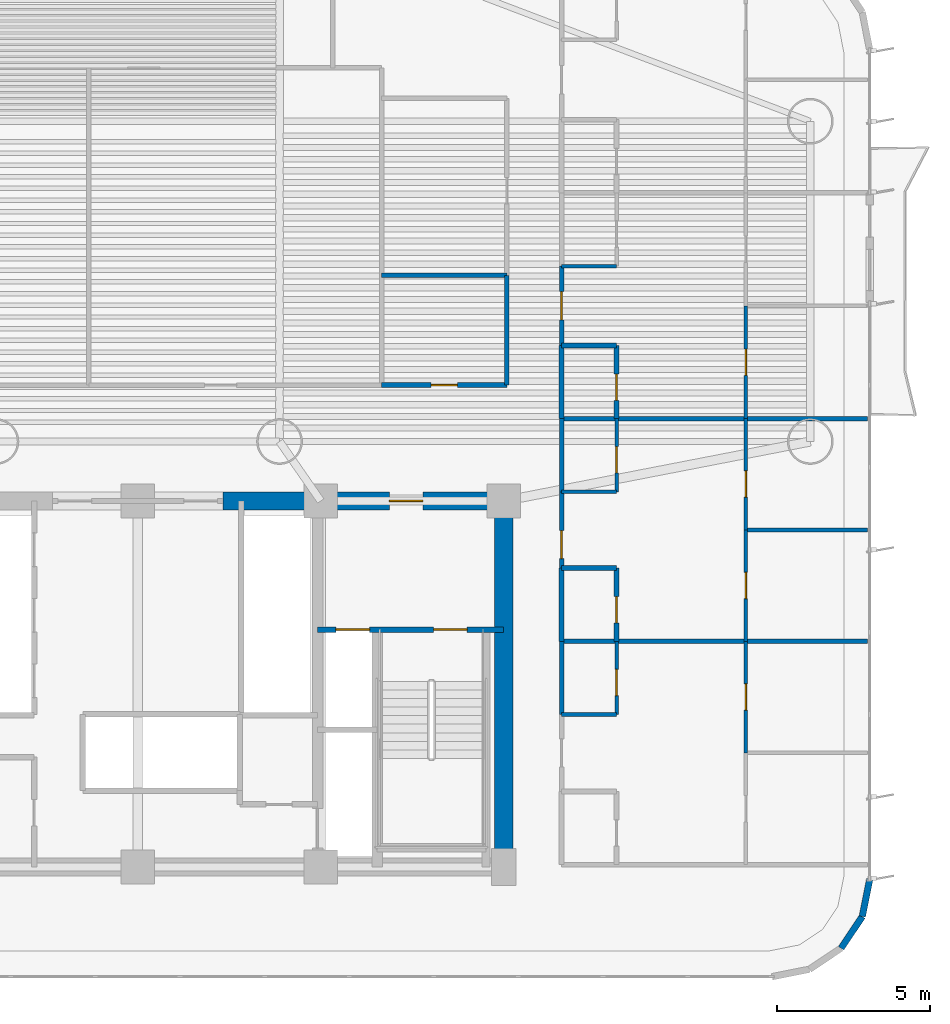
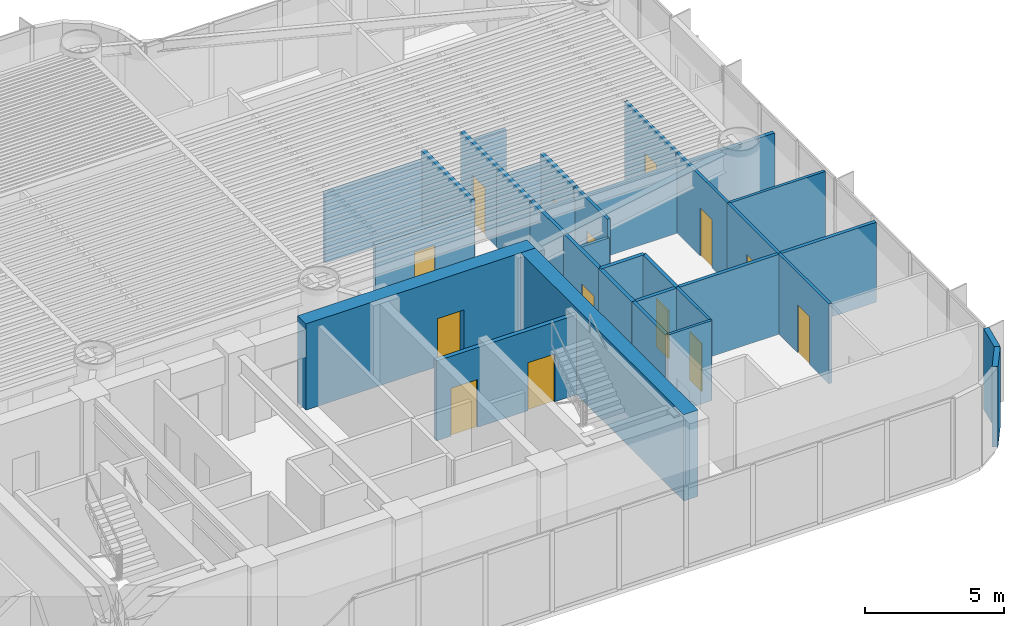
# One storey, part 13 of 19: 30 walls, 14 doors, 14 openings.
"""IFC4 building model written with IfcOpenShell, lengths in metres."""

from ifc_helpers import new_model, si_unit, direction, frame, frame_2d, origin, origin_2d, place, context, subcontext, project, spatial, rectangle, extrude, source, transform, mapped, material, layer, layer_set, type_object, element, fill, save


model = new_model("IFC4")

# Units and contexts
model_context = context("Model", 3, precision=1e-05, world=origin(), true_north=direction((0.0, 1.0)))
body_context = subcontext(model_context, "Body", "Model", "MODEL_VIEW")
ifc_project = project(units=[si_unit("LENGTHUNIT", "METRE"), si_unit("AREAUNIT", "SQUARE_METRE"), si_unit("VOLUMEUNIT", "CUBIC_METRE"), si_unit("PLANEANGLEUNIT", "RADIAN"), si_unit("MASSUNIT", "GRAM", prefix="KILO")], contexts=[model_context])

# Site, building, storey
site_placement = place(None, origin())
site = spatial("IfcSite", under=ifc_project, at=site_placement, CompositionType="ELEMENT")
building_placement = place(site_placement, origin())
building = spatial("IfcBuilding", under=site, at=building_placement, Name="Brelvock Crest Care Tower", CompositionType="ELEMENT")
storey_placement = place(building_placement, frame((0.0, 0.0, 34.56005859375)))
storey = spatial("IfcBuildingStorey", under=building, at=storey_placement, Name="L08", CompositionType="ELEMENT", Elevation=34.56005859375)

# Wall
ifc_material_1 = material(Name="Concrete S80 (80 MPa)", Category="concrete")
ifc_layer_1 = layer(ifc_material_1, 0.60009765625, Name="WL-CS1")
ifc_layer_set_1 = layer_set([ifc_layer_1], Name="Concrete S80 (80 MPa)")
wall_type_1 = type_object("IfcWallType", Name="WL-CS1", PredefinedType="SHEAR", material=ifc_layer_set_1)
wall_1_placement = place(storey_placement, frame((48.0, 18.0, 0.0), z_axis=(0.0, 0.0, 1.0), x_axis=(0.0, -1.0, 0.0)))
element("IfcWall", 1, at=wall_1_placement, inside=storey, type_object=wall_type_1, Name="L08 Core East Shear Wall", PredefinedType="SHEAR", context=body_context, shape_type="SweptSolid", body=[
    extrude(rectangle(XDim=12.0, YDim=0.60009765625, at=frame_2d((6.0, 0.0))), origin(), (0.0, 0.0, 1.0), 3.780029296875),
])

# Wall, opening, door
wall_2_placement = place(storey_placement, frame((38.800048828125, 18.0, 0.0), z_axis=(0.0, 0.0, 1.0), x_axis=(1.0, 0.0, 0.0)))
wall_2 = element("IfcWall", 2, at=wall_2_placement, inside=storey, type_object=wall_type_1, Name="L08 Core North-East Shear Wall", PredefinedType="SHEAR", context=body_context, shape_type="SweptSolid", body=[
    extrude(rectangle(XDim=9.5, YDim=0.60009765625, at=frame_2d((4.75, 0.0))), origin(), (0.0, 0.0, 1.0), 3.780029296875),
])
opening_1_placement = place(wall_2_placement, frame((5.449951171875, 0.0, 0.0)))
opening_1 = element("IfcOpeningElement", 3, at=opening_1_placement, cuts=wall_2, Name="Opening FD-1", PredefinedType="OPENING", context=body_context, shape_type="SweptSolid", body=[
    extrude(rectangle(XDim=1.10009765625, YDim=2.10009765625, at=origin_2d()), frame((0.550048828125, 0.31005859375, 1.050048828125), z_axis=(0.0, -1.0, 0.0), x_axis=(1.0, 0.0, 0.0)), (0.0, 0.0, 1.0), 0.6201171875),
])
ifc_material_2 = material(Name="Steel Grade 350", Category="steel")
door_type_1 = type_object("IfcDoorType", Name="DR-FFL1", OperationType="NOTDEFINED", PredefinedType="DOOR", material=ifc_material_2)
shared_shape_1 = source(origin(), body_context, "Body", "SweptSolid", [
    extrude(rectangle(XDim=1.10009765625, YDim=2.10009765625, at=origin_2d()), frame((0.550048828125, 0.02490234375, 1.050048828125), z_axis=(0.0, -1.0, 0.0), x_axis=(1.0, 0.0, 0.0)), (0.0, 0.0, 1.0), 0.050048828125),
])
door_1_placement = place(opening_1_placement, origin())
door_1 = element("IfcDoor", 4, at=door_1_placement, inside=storey, type_object=door_type_1, Name="L08 Firefighting Lobby FFL-2 Exit Door", OperationType="SINGLE_SWING_RIGHT", OverallHeight=2.10009765625, OverallWidth=1.10009765625, PredefinedType="DOOR", context=body_context, shape_type="MappedRepresentation", body=[
    mapped(shared_shape_1, transform((0.0, 0.0, 0.0), x_axis=(1.0, 0.0, 0.0), y_axis=(0.0, 1.0, 0.0), z_axis=(0.0, 0.0, 1.0), scale=1.0)),
])
fill(opening_1, door_1)

# Walls
ifc_material_3 = material(Name="Precast concrete N40 (40 MPa)", Category="concrete")
ifc_layer_2 = layer(ifc_material_3, 0.215087890625, Name="WL-EX2")
ifc_layer_set_2 = layer_set([ifc_layer_2], Name="Precast concrete N40 (40 MPa)")
wall_type_2 = type_object("IfcWallType", Name="WL-EX2", PredefinedType="SOLIDWALL", material=ifc_layer_set_2)
for number, where, z_axis, x_axis, name in (
    (5, (60.0, 5.60009765625, 0.0), (0.0, 0.0, 1.0), (-0.195138390419, -0.980775717779, 0.0), "L08 Rounded Corner Wall 04"),
    (6, (59.75634765625, 4.37548828125, 0.0), (0.0, 0.0, 1.0), (-0.555557312883, -0.831478245117, 0.0), "L08 Rounded Corner Wall 05"),
):
    element("IfcWall", number, at=place(storey_placement, frame(where, z_axis=z_axis, x_axis=x_axis)), inside=storey, type_object=wall_type_2, Name=name, PredefinedType="SOLIDWALL", context=body_context, shape_type="SweptSolid", body=[
        extrude(rectangle(XDim=1.24853515625, YDim=0.215087890625, at=frame_2d((0.624267578125, 0.0))), origin(), (0.0, 0.0, 1.0), 3.530029296875),
    ])
ifc_material_4 = material(Name="Masonry Blockwork Acoustic Partition", Category="masonry")
ifc_layer_3 = layer(ifc_material_4, 0.14990234375, Name="WL-INT1")
ifc_layer_set_3 = layer_set([ifc_layer_3], Name="Masonry Blockwork Acoustic Partition")
wall_type_3 = type_object("IfcWallType", Name="WL-INT1", PredefinedType="PARTITIONING", material=ifc_layer_set_3)
wall_3_placement = place(storey_placement, frame((49.89990234375, 13.39990234375, 0.0), z_axis=(0.0, 0.0, 1.0), x_axis=(1.0, 0.0, 0.0)))
element("IfcWall", 7, at=wall_3_placement, inside=storey, type_object=wall_type_3, Name="L08 Interior Wall WL-BX-L08-FL-EW1-N", PredefinedType="PARTITIONING", context=body_context, shape_type="SweptSolid", body=[
    extrude(rectangle(XDim=10.02001953125, YDim=0.14990234375, at=frame_2d((5.010009765625, 0.0))), origin(), (0.0, 0.0, 1.0), 3.5),
])
wall_4_placement = place(storey_placement, frame((49.89990234375, 20.699951171875, 0.0), z_axis=(0.0, 0.0, 1.0), x_axis=(1.0, 0.0, 0.0)))
element("IfcWall", 8, at=wall_4_placement, inside=storey, type_object=wall_type_3, Name="L08 Interior Wall WL-BX-L08-FL-EW2-N", PredefinedType="PARTITIONING", context=body_context, shape_type="SweptSolid", body=[
    extrude(rectangle(XDim=10.02001953125, YDim=0.14990234375, at=frame_2d((5.010009765625, 0.0))), origin(), (0.0, 0.0, 1.0), 2.98193359375),
])
wall_5_placement = place(storey_placement, frame((49.89990234375, 11.0, 0.0), z_axis=(0.0, 0.0, 1.0), x_axis=(0.0, 1.0, 0.0)))
element("IfcWall", 9, at=wall_5_placement, inside=storey, type_object=wall_type_3, Name="L08 Interior Wall WL-UCK-L08-EW1", PredefinedType="PARTITIONING", context=body_context, shape_type="SweptSolid", body=[
    extrude(rectangle(XDim=2.39990234375, YDim=0.14990234375, at=frame_2d((1.199951171875, 0.0))), origin(), (0.0, 0.0, 1.0), 3.5),
])

# Wall, opening, door
wall_6_placement = place(storey_placement, frame((49.89990234375, 15.800048828125, 0.0), z_axis=(0.0, 0.0, 1.0), x_axis=(0.0, 1.0, 0.0)))
wall_6 = element("IfcWall", 10, at=wall_6_placement, inside=storey, type_object=wall_type_3, Name="L08 Interior Wall WL-UENT-L08-EW2", PredefinedType="PARTITIONING", context=body_context, shape_type="SweptSolid", body=[
    extrude(rectangle(XDim=2.5, YDim=0.14990234375, at=frame_2d((1.25, 0.0))), origin(), (0.0, 0.0, 1.0), 3.5),
])
opening_2_placement = place(wall_6_placement, frame((0.31005859375, 0.0, 0.0)))
opening_2 = element("IfcOpeningElement", 11, at=opening_2_placement, cuts=wall_6, Name="Opening AD-1", PredefinedType="OPENING", context=body_context, shape_type="SweptSolid", body=[
    extrude(rectangle(XDim=0.919921875, YDim=2.10009765625, at=origin_2d()), frame((0.4599609375, 0.0849609375, 1.050048828125), z_axis=(0.0, -1.0, 0.0), x_axis=(1.0, 0.0, 0.0)), (0.0, 0.0, 1.0), 0.169921875),
])
ifc_material_5 = material(Name="Engineered Hardwood Timber", Category="wood")
door_type_2 = type_object("IfcDoorType", Name="DR-APT1", OperationType="NOTDEFINED", PredefinedType="DOOR", material=ifc_material_5)
shared_shape_2 = source(origin(), body_context, "Body", "SweptSolid", [
    extrude(rectangle(XDim=0.919921875, YDim=2.10009765625, at=origin_2d()), frame((0.4599609375, 0.02490234375, 1.050048828125), z_axis=(0.0, -1.0, 0.0), x_axis=(1.0, 0.0, 0.0)), (0.0, 0.0, 1.0), 0.050048828125),
])
door_2_placement = place(opening_2_placement, origin())
door_2 = element("IfcDoor", 12, at=door_2_placement, inside=storey, type_object=door_type_2, Name="L08 Apartment Entrance EW2", OperationType="SINGLE_SWING_LEFT", OverallHeight=2.10009765625, OverallWidth=0.919921875, PredefinedType="DOOR", context=body_context, shape_type="MappedRepresentation", body=[
    mapped(shared_shape_2, transform((0.0, 0.0, 0.0), x_axis=(1.0, 0.0, 0.0), y_axis=(0.0, 1.0, 0.0), z_axis=(0.0, 0.0, 1.0), scale=1.0)),
])
fill(opening_2, door_2)

# Wall
wall_7_placement = place(storey_placement, frame((49.89990234375, 18.300048828125, 0.0), z_axis=(0.0, 0.0, 1.0), x_axis=(0.0, 1.0, 0.0)))
element("IfcWall", 13, at=wall_7_placement, inside=storey, type_object=wall_type_3, Name="L08 Interior Wall WL-UCK-L08-EW2", PredefinedType="PARTITIONING", context=body_context, shape_type="SweptSolid", body=[
    extrude(rectangle(XDim=2.39990234375, YDim=0.14990234375, at=frame_2d((1.199951171875, 0.0))), origin(), (0.0, 0.0, 1.0), 3.5),
])

# Wall, opening, door
wall_8_placement = place(storey_placement, frame((49.89990234375, 23.10009765625, 0.0), z_axis=(0.0, 0.0, 1.0), x_axis=(0.0, 1.0, 0.0)))
wall_8 = element("IfcWall", 14, at=wall_8_placement, inside=storey, type_object=wall_type_3, Name="L08 Interior Wall WL-UENT-L08-EW3", PredefinedType="PARTITIONING", context=body_context, shape_type="SweptSolid", body=[
    extrude(rectangle(XDim=2.599853515625, YDim=0.14990234375, at=frame_2d((1.2998046875, 0.0))), origin(), (0.0, 0.0, 1.0), 3.5),
])
opening_3_placement = place(wall_8_placement, frame((0.840087890625, 0.0, 0.0)))
opening_3 = element("IfcOpeningElement", 15, at=opening_3_placement, cuts=wall_8, Name="Opening AD-1", PredefinedType="OPENING", context=body_context, shape_type="SweptSolid", body=[
    extrude(rectangle(XDim=0.919921875, YDim=2.10009765625, at=origin_2d()), frame((0.4599609375, 0.0849609375, 1.050048828125), z_axis=(0.0, -1.0, 0.0), x_axis=(1.0, 0.0, 0.0)), (0.0, 0.0, 1.0), 0.169921875),
])
door_3_placement = place(opening_3_placement, origin())
door_3 = element("IfcDoor", 16, at=door_3_placement, inside=storey, type_object=door_type_2, Name="L08 Apartment Entrance EW3", OperationType="SINGLE_SWING_LEFT", OverallHeight=2.10009765625, OverallWidth=0.919921875, PredefinedType="DOOR", context=body_context, shape_type="MappedRepresentation", body=[
    mapped(shared_shape_2, transform((0.0, 0.0, 0.0), x_axis=(1.0, 0.0, 0.0), y_axis=(0.0, 1.0, 0.0), z_axis=(0.0, 0.0, 1.0), scale=1.0)),
])
fill(opening_3, door_3)

# Walls
ifc_material_6 = material(Name="Gypsum Plasterboard Partition", Category="gypsum")
ifc_layer_4 = layer(ifc_material_6, 0.1201171875, Name="WL-INT2")
ifc_layer_set_4 = layer_set([ifc_layer_4], Name="Gypsum Plasterboard Partition")
wall_type_4 = type_object("IfcWallType", Name="WL-INT2", PredefinedType="PARTITIONING", material=ifc_layer_set_4)
wall_9_placement = place(storey_placement, frame((49.89990234375, 11.0, 0.0), z_axis=(0.0, 0.0, 1.0), x_axis=(1.0, 0.0, 0.0)))
element("IfcWall", 17, at=wall_9_placement, inside=storey, type_object=wall_type_4, Name="L08 Interior Wall WL-UKIT2-L08-EW1", PredefinedType="PARTITIONING", context=body_context, shape_type="SweptSolid", body=[
    extrude(rectangle(XDim=1.800048828125, YDim=0.1201171875, at=frame_2d((0.89990234375, 0.0))), origin(), (0.0, 0.0, 1.0), 3.5),
])
wall_10_placement = place(storey_placement, frame((55.93603515625, 17.050048828125, 0.0), z_axis=(0.0, 0.0, 1.0), x_axis=(1.0, 0.0, 0.0)))
element("IfcWall", 18, at=wall_10_placement, inside=storey, type_object=wall_type_4, Name="L08 Interior Wall WL-UBSP-L08-EW2", PredefinedType="PARTITIONING", context=body_context, shape_type="SweptSolid", body=[
    extrude(rectangle(XDim=3.98388671875, YDim=0.1201171875, at=frame_2d((1.991943359375, 0.0))), origin(), (0.0, 0.0, 1.0), 3.5),
])
wall_11_placement = place(storey_placement, frame((49.89990234375, 18.300048828125, 0.0), z_axis=(0.0, 0.0, 1.0), x_axis=(1.0, 0.0, 0.0)))
element("IfcWall", 19, at=wall_11_placement, inside=storey, type_object=wall_type_4, Name="L08 Interior Wall WL-UKIT2-L08-EW2", PredefinedType="PARTITIONING", context=body_context, shape_type="SweptSolid", body=[
    extrude(rectangle(XDim=1.800048828125, YDim=0.1201171875, at=frame_2d((0.89990234375, 0.0))), origin(), (0.0, 0.0, 1.0), 2.71484375),
])
wall_12_placement = place(storey_placement, frame((49.89990234375, 25.699951171875, 0.0), z_axis=(0.0, 0.0, 1.0), x_axis=(1.0, 0.0, 0.0)))
element("IfcWall", 20, at=wall_12_placement, inside=storey, type_object=wall_type_4, Name="L08 Interior Wall WL-UKIT2-L08-EW3", PredefinedType="PARTITIONING", context=body_context, shape_type="SweptSolid", body=[
    extrude(rectangle(XDim=1.800048828125, YDim=0.1201171875, at=frame_2d((0.89990234375, 0.0))), origin(), (0.0, 0.0, 1.0), 2.98193359375),
])

# Wall, opening, door
wall_13_placement = place(storey_placement, frame((51.699951171875, 11.0, 0.0), z_axis=(0.0, 0.0, 1.0), x_axis=(0.0, 1.0, 0.0)))
wall_13 = element("IfcWall", 21, at=wall_13_placement, inside=storey, type_object=wall_type_4, Name="L08 Interior Wall WL-UKIT1-L08-EW1", PredefinedType="PARTITIONING", context=body_context, shape_type="SweptSolid", body=[
    extrude(rectangle(XDim=2.39990234375, YDim=0.1201171875, at=frame_2d((1.199951171875, 0.0))), origin(), (0.0, 0.0, 1.0), 3.5),
])
opening_4_placement = place(wall_13_placement, frame((0.6201171875, 0.0, 0.0)))
opening_4 = element("IfcOpeningElement", 22, at=opening_4_placement, cuts=wall_13, Name="Opening ID-1", PredefinedType="OPENING", context=body_context, shape_type="SweptSolid", body=[
    extrude(rectangle(XDim=0.860107421875, YDim=2.10009765625, at=origin_2d()), frame((0.43017578125, 0.070068359375, 1.050048828125), z_axis=(0.0, -1.0, 0.0), x_axis=(1.0, 0.0, 0.0)), (0.0, 0.0, 1.0), 0.14013671875),
])
door_type_3 = type_object("IfcDoorType", Name="DR-INT1", OperationType="NOTDEFINED", PredefinedType="DOOR", material=ifc_material_5)
shared_shape_3 = source(origin(), body_context, "Body", "SweptSolid", [
    extrude(rectangle(XDim=0.860107421875, YDim=2.10009765625, at=origin_2d()), frame((0.43017578125, 0.02490234375, 1.050048828125), z_axis=(0.0, -1.0, 0.0), x_axis=(1.0, 0.0, 0.0)), (0.0, 0.0, 1.0), 0.050048828125),
])
door_4_placement = place(opening_4_placement, origin())
door_4 = element("IfcDoor", 23, at=door_4_placement, inside=storey, type_object=door_type_3, Name="L08 Kitchen Door EW1", OperationType="SINGLE_SWING_RIGHT", OverallHeight=2.10009765625, OverallWidth=0.860107421875, PredefinedType="DOOR", context=body_context, shape_type="MappedRepresentation", body=[
    mapped(shared_shape_3, transform((0.0, 0.0, 0.0), x_axis=(1.0, 0.0, 0.0), y_axis=(0.0, 1.0, 0.0), z_axis=(0.0, 0.0, 1.0), scale=1.0)),
])
fill(opening_4, door_4)

wall_14_placement = place(storey_placement, frame((51.699951171875, 18.300048828125, 0.0), z_axis=(0.0, 0.0, 1.0), x_axis=(0.0, 1.0, 0.0)))
wall_14 = element("IfcWall", 24, at=wall_14_placement, inside=storey, type_object=wall_type_4, Name="L08 Interior Wall WL-UKIT1-L08-EW2", PredefinedType="PARTITIONING", context=body_context, shape_type="SweptSolid", body=[
    extrude(rectangle(XDim=2.39990234375, YDim=0.1201171875, at=frame_2d((1.199951171875, 0.0))), origin(), (0.0, 0.0, 1.0), 3.5),
])
opening_5_placement = place(wall_14_placement, frame((0.6201171875, 0.0, 0.0)))
opening_5 = element("IfcOpeningElement", 25, at=opening_5_placement, cuts=wall_14, Name="Opening ID-1", PredefinedType="OPENING", context=body_context, shape_type="SweptSolid", body=[
    extrude(rectangle(XDim=0.860107421875, YDim=2.10009765625, at=origin_2d()), frame((0.43017578125, 0.070068359375, 1.050048828125), z_axis=(0.0, -1.0, 0.0), x_axis=(1.0, 0.0, 0.0)), (0.0, 0.0, 1.0), 0.14013671875),
])
door_5_placement = place(opening_5_placement, origin())
door_5 = element("IfcDoor", 26, at=door_5_placement, inside=storey, type_object=door_type_3, Name="L08 Kitchen Door EW2", OperationType="SINGLE_SWING_RIGHT", OverallHeight=2.10009765625, OverallWidth=0.860107421875, PredefinedType="DOOR", context=body_context, shape_type="MappedRepresentation", body=[
    mapped(shared_shape_3, transform((0.0, 0.0, 0.0), x_axis=(1.0, 0.0, 0.0), y_axis=(0.0, 1.0, 0.0), z_axis=(0.0, 0.0, 1.0), scale=1.0)),
])
fill(opening_5, door_5)

wall_15_placement = place(storey_placement, frame((55.93603515625, 9.739990234375, 0.0), z_axis=(0.0, 0.0, 1.0), x_axis=(0.0, 1.0, 0.0)))
wall_15 = element("IfcWall", 27, at=wall_15_placement, inside=storey, type_object=wall_type_4, Name="L08 Interior Wall WL-UBD2-L08-EW1", PredefinedType="PARTITIONING", context=body_context, shape_type="SweptSolid", body=[
    extrude(rectangle(XDim=3.659912109375, YDim=0.1201171875, at=frame_2d((1.830078125, 0.0))), origin(), (0.0, 0.0, 1.0), 3.5),
])
opening_6_placement = place(wall_15_placement, frame((1.39990234375, 0.0, 0.0)))
opening_6 = element("IfcOpeningElement", 28, at=opening_6_placement, cuts=wall_15, Name="Opening ID-1", PredefinedType="OPENING", context=body_context, shape_type="SweptSolid", body=[
    extrude(rectangle(XDim=0.860107421875, YDim=2.10009765625, at=origin_2d()), frame((0.43017578125, 0.070068359375, 1.050048828125), z_axis=(0.0, -1.0, 0.0), x_axis=(1.0, 0.0, 0.0)), (0.0, 0.0, 1.0), 0.14013671875),
])
door_6_placement = place(opening_6_placement, origin())
door_6 = element("IfcDoor", 29, at=door_6_placement, inside=storey, type_object=door_type_3, Name="L08 Second Room Door EW1", OperationType="SINGLE_SWING_LEFT", OverallHeight=2.10009765625, OverallWidth=0.860107421875, PredefinedType="DOOR", context=body_context, shape_type="MappedRepresentation", body=[
    mapped(shared_shape_3, transform((0.0, 0.0, 0.0), x_axis=(1.0, 0.0, 0.0), y_axis=(0.0, 1.0, 0.0), z_axis=(0.0, 0.0, 1.0), scale=1.0)),
])
fill(opening_6, door_6)

wall_16_placement = place(storey_placement, frame((55.93603515625, 13.39990234375, 0.0), z_axis=(0.0, 0.0, 1.0), x_axis=(0.0, 1.0, 0.0)))
wall_16 = element("IfcWall", 30, at=wall_16_placement, inside=storey, type_object=wall_type_4, Name="L08 Interior Wall WL-UBD1-L08-EW2", PredefinedType="PARTITIONING", context=body_context, shape_type="SweptSolid", body=[
    extrude(rectangle(XDim=3.650146484375, YDim=0.1201171875, at=frame_2d((1.8251953125, 0.0))), origin(), (0.0, 0.0, 1.0), 3.5),
])
opening_7_placement = place(wall_16_placement, frame((1.39501953125, 0.0, 0.0)))
opening_7 = element("IfcOpeningElement", 31, at=opening_7_placement, cuts=wall_16, Name="Opening ID-1", PredefinedType="OPENING", context=body_context, shape_type="SweptSolid", body=[
    extrude(rectangle(XDim=0.860107421875, YDim=2.10009765625, at=origin_2d()), frame((0.43017578125, 0.070068359375, 1.050048828125), z_axis=(0.0, -1.0, 0.0), x_axis=(1.0, 0.0, 0.0)), (0.0, 0.0, 1.0), 0.14013671875),
])
door_7_placement = place(opening_7_placement, origin())
door_7 = element("IfcDoor", 32, at=door_7_placement, inside=storey, type_object=door_type_3, Name="L08 Primary Bedroom Door EW2", OperationType="SINGLE_SWING_RIGHT", OverallHeight=2.10009765625, OverallWidth=0.860107421875, PredefinedType="DOOR", context=body_context, shape_type="MappedRepresentation", body=[
    mapped(shared_shape_3, transform((0.0, 0.0, 0.0), x_axis=(1.0, 0.0, 0.0), y_axis=(0.0, 1.0, 0.0), z_axis=(0.0, 0.0, 1.0), scale=1.0)),
])
fill(opening_7, door_7)

wall_17_placement = place(storey_placement, frame((55.93603515625, 17.050048828125, 0.0), z_axis=(0.0, 0.0, 1.0), x_axis=(0.0, 1.0, 0.0)))
wall_17 = element("IfcWall", 33, at=wall_17_placement, inside=storey, type_object=wall_type_4, Name="L08 Interior Wall WL-UBD2-L08-EW2", PredefinedType="PARTITIONING", context=body_context, shape_type="SweptSolid", body=[
    extrude(rectangle(XDim=3.64990234375, YDim=0.1201171875, at=frame_2d((1.824951171875, 0.0))), origin(), (0.0, 0.0, 1.0), 3.5),
])
opening_8_placement = place(wall_17_placement, frame((1.074951171875, 0.0, 0.0)))
opening_8 = element("IfcOpeningElement", 34, at=opening_8_placement, cuts=wall_17, Name="Opening ID-1", PredefinedType="OPENING", context=body_context, shape_type="SweptSolid", body=[
    extrude(rectangle(XDim=0.860107421875, YDim=2.10009765625, at=origin_2d()), frame((0.43017578125, 0.070068359375, 1.050048828125), z_axis=(0.0, -1.0, 0.0), x_axis=(1.0, 0.0, 0.0)), (0.0, 0.0, 1.0), 0.14013671875),
])
door_8_placement = place(opening_8_placement, origin())
door_8 = element("IfcDoor", 35, at=door_8_placement, inside=storey, type_object=door_type_3, Name="L08 Second Room Door EW2", OperationType="SINGLE_SWING_LEFT", OverallHeight=2.10009765625, OverallWidth=0.860107421875, PredefinedType="DOOR", context=body_context, shape_type="MappedRepresentation", body=[
    mapped(shared_shape_3, transform((0.0, 0.0, 0.0), x_axis=(1.0, 0.0, 0.0), y_axis=(0.0, 1.0, 0.0), z_axis=(0.0, 0.0, 1.0), scale=1.0)),
])
fill(opening_8, door_8)

wall_18_placement = place(storey_placement, frame((55.93603515625, 20.699951171875, 0.0), z_axis=(0.0, 0.0, 1.0), x_axis=(0.0, 1.0, 0.0)))
wall_18 = element("IfcWall", 36, at=wall_18_placement, inside=storey, type_object=wall_type_4, Name="L08 Interior Wall WL-UBD1-L08-EW3", PredefinedType="PARTITIONING", context=body_context, shape_type="SweptSolid", body=[
    extrude(rectangle(XDim=3.699951171875, YDim=0.1201171875, at=frame_2d((1.85009765625, 0.0))), origin(), (0.0, 0.0, 1.0), 3.5),
])
opening_9_placement = place(wall_18_placement, frame((1.419921875, 0.0, 0.0)))
opening_9 = element("IfcOpeningElement", 37, at=opening_9_placement, cuts=wall_18, Name="Opening ID-1", PredefinedType="OPENING", context=body_context, shape_type="SweptSolid", body=[
    extrude(rectangle(XDim=0.860107421875, YDim=2.10009765625, at=origin_2d()), frame((0.43017578125, 0.070068359375, 1.050048828125), z_axis=(0.0, -1.0, 0.0), x_axis=(1.0, 0.0, 0.0)), (0.0, 0.0, 1.0), 0.14013671875),
])
door_9_placement = place(opening_9_placement, origin())
door_9 = element("IfcDoor", 38, at=door_9_placement, inside=storey, type_object=door_type_3, Name="L08 Primary Bedroom Door EW3", OperationType="SINGLE_SWING_RIGHT", OverallHeight=2.10009765625, OverallWidth=0.860107421875, PredefinedType="DOOR", context=body_context, shape_type="MappedRepresentation", body=[
    mapped(shared_shape_3, transform((0.0, 0.0, 0.0), x_axis=(1.0, 0.0, 0.0), y_axis=(0.0, 1.0, 0.0), z_axis=(0.0, 0.0, 1.0), scale=1.0)),
])
fill(opening_9, door_9)

# Wall
ifc_layer_5 = layer(ifc_material_6, 0.159912109375, Name="WL-PLM1")
ifc_layer_set_5 = layer_set([ifc_layer_5], Name="Gypsum Plasterboard Partition")
wall_type_5 = type_object("IfcWallType", Name="WL-PLM1", PredefinedType="PLUMBINGWALL", material=ifc_layer_set_5)
wall_19_placement = place(storey_placement, frame((49.89990234375, 15.800048828125, 0.0), z_axis=(0.0, 0.0, 1.0), x_axis=(1.0, 0.0, 0.0)))
element("IfcWall", 39, at=wall_19_placement, inside=storey, type_object=wall_type_5, Name="L08 Interior Wall WL-UBTH2-L08-EW2", PredefinedType="PLUMBINGWALL", context=body_context, shape_type="SweptSolid", body=[
    extrude(rectangle(XDim=1.800048828125, YDim=0.159912109375, at=frame_2d((0.89990234375, 0.0))), origin(), (0.0, 0.0, 1.0), 3.5),
])

# Wall, opening, door
wall_20_placement = place(storey_placement, frame((44.0, 21.800048828125, 0.0), z_axis=(0.0, 0.0, 1.0), x_axis=(1.0, 0.0, 0.0)))
wall_20 = element("IfcWall", 40, at=wall_20_placement, inside=storey, type_object=wall_type_5, Name="L08 Interior Wall WL-RM-L08-CAWC", PredefinedType="PLUMBINGWALL", context=body_context, shape_type="SweptSolid", body=[
    extrude(rectangle(XDim=4.10009765625, YDim=0.159912109375, at=frame_2d((2.050048828125, 0.0))), origin(), (0.0, 0.0, 1.0), 2.98193359375),
])
opening_10_placement = place(wall_20_placement, frame((1.6201171875, 0.0, 0.0)))
opening_10 = element("IfcOpeningElement", 41, at=opening_10_placement, cuts=wall_20, Name="Opening WD-1", PredefinedType="OPENING", context=body_context, shape_type="SweptSolid", body=[
    extrude(rectangle(XDim=0.860107421875, YDim=2.10009765625, at=origin_2d()), frame((0.43017578125, 0.08984375, 1.050048828125), z_axis=(0.0, -1.0, 0.0), x_axis=(1.0, 0.0, 0.0)), (0.0, 0.0, 1.0), 0.179931640625),
])
door_type_4 = type_object("IfcDoorType", Name="DR-WC1", OperationType="NOTDEFINED", PredefinedType="DOOR", material=ifc_material_5)
shared_shape_4 = source(origin(), body_context, "Body", "SweptSolid", [
    extrude(rectangle(XDim=0.860107421875, YDim=2.10009765625, at=origin_2d()), frame((0.43017578125, 0.02490234375, 1.050048828125), z_axis=(0.0, -1.0, 0.0), x_axis=(1.0, 0.0, 0.0)), (0.0, 0.0, 1.0), 0.050048828125),
])
door_10_placement = place(opening_10_placement, origin())
door_10 = element("IfcDoor", 42, at=door_10_placement, inside=storey, type_object=door_type_4, Name="L08 Floor Accessible WC Door CAWC", OperationType="SINGLE_SWING_LEFT", OverallHeight=2.10009765625, OverallWidth=0.860107421875, PredefinedType="DOOR", context=body_context, shape_type="MappedRepresentation", body=[
    mapped(shared_shape_4, transform((0.0, 0.0, 0.0), x_axis=(1.0, 0.0, 0.0), y_axis=(0.0, 1.0, 0.0), z_axis=(0.0, 0.0, 1.0), scale=1.0)),
])
fill(opening_10, door_10)

# Walls
wall_21_placement = place(storey_placement, frame((49.89990234375, 23.10009765625, 0.0), z_axis=(0.0, 0.0, 1.0), x_axis=(1.0, 0.0, 0.0)))
element("IfcWall", 43, at=wall_21_placement, inside=storey, type_object=wall_type_5, Name="L08 Interior Wall WL-UBTH2-L08-EW3", PredefinedType="PLUMBINGWALL", context=body_context, shape_type="SweptSolid", body=[
    extrude(rectangle(XDim=1.800048828125, YDim=0.159912109375, at=frame_2d((0.89990234375, 0.0))), origin(), (0.0, 0.0, 1.0), 3.054931640625),
])
wall_22_placement = place(storey_placement, frame((44.0, 25.39990234375, 0.0), z_axis=(0.0, 0.0, 1.0), x_axis=(1.0, 0.0, 0.0)))
element("IfcWall", 44, at=wall_22_placement, inside=storey, type_object=wall_type_5, Name="L08 Interior Wall WL-BX-L08-CAWC-N", PredefinedType="PLUMBINGWALL", context=body_context, shape_type="SweptSolid", body=[
    extrude(rectangle(XDim=4.10009765625, YDim=0.159912109375, at=frame_2d((2.050048828125, 0.0))), origin(), (0.0, 0.0, 1.0), 3.054931640625),
])
wall_23_placement = place(storey_placement, frame((48.10009765625, 21.800048828125, 0.0), z_axis=(0.0, 0.0, 1.0), x_axis=(0.0, 1.0, 0.0)))
element("IfcWall", 45, at=wall_23_placement, inside=storey, type_object=wall_type_5, Name="L08 Interior Wall WL-BX-L08-CAWC-E", PredefinedType="PLUMBINGWALL", context=body_context, shape_type="SweptSolid", body=[
    extrude(rectangle(XDim=3.599853515625, YDim=0.159912109375, at=frame_2d((1.7998046875, 0.0))), origin(), (0.0, 0.0, 1.0), 3.5),
])
for number, where, z_axis, x_axis, name in (
    (46, (49.89990234375, 13.39990234375, 0.0), (0.0, 0.0, 1.0), (0.0, 1.0, 0.0), "L08 Interior Wall WL-UCB-L08-EW2"),
    (47, (49.89990234375, 20.699951171875, 0.0), (0.0, 0.0, 1.0), (0.0, 1.0, 0.0), "L08 Interior Wall WL-UCB-L08-EW3"),
):
    element("IfcWall", number, at=place(storey_placement, frame(where, z_axis=z_axis, x_axis=x_axis)), inside=storey, type_object=wall_type_5, Name=name, PredefinedType="PLUMBINGWALL", context=body_context, shape_type="SweptSolid", body=[
        extrude(rectangle(XDim=2.400146484375, YDim=0.159912109375, at=frame_2d((1.2001953125, 0.0))), origin(), (0.0, 0.0, 1.0), 3.5),
    ])

# Wall, opening, door
wall_24_placement = place(storey_placement, frame((51.699951171875, 13.39990234375, 0.0), z_axis=(0.0, 0.0, 1.0), x_axis=(0.0, 1.0, 0.0)))
wall_24 = element("IfcWall", 48, at=wall_24_placement, inside=storey, type_object=wall_type_5, Name="L08 Interior Wall WL-UBTH1-L08-EW2", PredefinedType="PLUMBINGWALL", context=body_context, shape_type="SweptSolid", body=[
    extrude(rectangle(XDim=2.400146484375, YDim=0.159912109375, at=frame_2d((1.2001953125, 0.0))), origin(), (0.0, 0.0, 1.0), 3.5),
])
opening_11_placement = place(wall_24_placement, frame((0.60009765625, 0.0, 0.0)))
opening_11 = element("IfcOpeningElement", 49, at=opening_11_placement, cuts=wall_24, Name="Opening WD-1", PredefinedType="OPENING", context=body_context, shape_type="SweptSolid", body=[
    extrude(rectangle(XDim=0.860107421875, YDim=2.10009765625, at=origin_2d()), frame((0.43017578125, 0.08984375, 1.050048828125), z_axis=(0.0, -1.0, 0.0), x_axis=(1.0, 0.0, 0.0)), (0.0, 0.0, 1.0), 0.179931640625),
])
door_11_placement = place(opening_11_placement, origin())
door_11 = element("IfcDoor", 50, at=door_11_placement, inside=storey, type_object=door_type_4, Name="L08 Bathroom Door EW2", OperationType="SINGLE_SWING_LEFT", OverallHeight=2.10009765625, OverallWidth=0.860107421875, PredefinedType="DOOR", context=body_context, shape_type="MappedRepresentation", body=[
    mapped(shared_shape_4, transform((0.0, 0.0, 0.0), x_axis=(1.0, 0.0, 0.0), y_axis=(0.0, 1.0, 0.0), z_axis=(0.0, 0.0, 1.0), scale=1.0)),
])
fill(opening_11, door_11)

wall_25_placement = place(storey_placement, frame((51.699951171875, 20.699951171875, 0.0), z_axis=(0.0, 0.0, 1.0), x_axis=(0.0, 1.0, 0.0)))
wall_25 = element("IfcWall", 51, at=wall_25_placement, inside=storey, type_object=wall_type_5, Name="L08 Interior Wall WL-UBTH1-L08-EW3", PredefinedType="PLUMBINGWALL", context=body_context, shape_type="SweptSolid", body=[
    extrude(rectangle(XDim=2.400146484375, YDim=0.159912109375, at=frame_2d((1.2001953125, 0.0))), origin(), (0.0, 0.0, 1.0), 3.5),
])
opening_12_placement = place(wall_25_placement, frame((0.60009765625, 0.0, 0.0)))
opening_12 = element("IfcOpeningElement", 52, at=opening_12_placement, cuts=wall_25, Name="Opening WD-1", PredefinedType="OPENING", context=body_context, shape_type="SweptSolid", body=[
    extrude(rectangle(XDim=0.860107421875, YDim=2.10009765625, at=origin_2d()), frame((0.43017578125, 0.08984375, 1.050048828125), z_axis=(0.0, -1.0, 0.0), x_axis=(1.0, 0.0, 0.0)), (0.0, 0.0, 1.0), 0.179931640625),
])
door_12_placement = place(opening_12_placement, origin())
door_12 = element("IfcDoor", 53, at=door_12_placement, inside=storey, type_object=door_type_4, Name="L08 Bathroom Door EW3", OperationType="SINGLE_SWING_LEFT", OverallHeight=2.10009765625, OverallWidth=0.860107421875, PredefinedType="DOOR", context=body_context, shape_type="MappedRepresentation", body=[
    mapped(shared_shape_4, transform((0.0, 0.0, 0.0), x_axis=(1.0, 0.0, 0.0), y_axis=(0.0, 1.0, 0.0), z_axis=(0.0, 0.0, 1.0), scale=1.0)),
])
fill(opening_12, door_12)

# Wall, openings, doors
ifc_layer_6 = layer(ifc_material_4, 0.179931640625, Name="WL-SHF1")
ifc_layer_set_6 = layer_set([ifc_layer_6], Name="Masonry Blockwork Acoustic Partition")
wall_type_6 = type_object("IfcWallType", Name="WL-SHF1", PredefinedType="PARTITIONING", material=ifc_layer_set_6)
wall_26_placement = place(storey_placement, frame((41.89990234375, 13.780029296875, 0.0), z_axis=(0.0, 0.0, 1.0), x_axis=(1.0, 0.0, 0.0)))
wall_26 = element("IfcWall", 54, at=wall_26_placement, inside=storey, type_object=wall_type_6, Name="L08 Interior Wall WL-ST2-N-L08", PredefinedType="PARTITIONING", context=body_context, shape_type="SweptSolid", body=[
    extrude(rectangle(XDim=6.10009765625, YDim=0.179931640625, at=frame_2d((3.050048828125, 0.0))), origin(), (0.0, 0.0, 1.0), 3.5),
])
opening_13_placement = place(wall_26_placement, frame((0.60009765625, 0.0, 0.0)))
opening_13 = element("IfcOpeningElement", 55, at=opening_13_placement, cuts=wall_26, Name="Opening LD", PredefinedType="OPENING", context=body_context, shape_type="SweptSolid", body=[
    extrude(rectangle(XDim=1.10009765625, YDim=2.10009765625, at=origin_2d()), frame((0.550048828125, 0.10009765625, 1.050048828125), z_axis=(0.0, -1.0, 0.0), x_axis=(1.0, 0.0, 0.0)), (0.0, 0.0, 1.0), 0.199951171875),
])
opening_14_placement = place(wall_26_placement, frame((3.800048828125, 0.0, 0.0)))
opening_14 = element("IfcOpeningElement", 56, at=opening_14_placement, cuts=wall_26, Name="Opening SD-1", PredefinedType="OPENING", context=body_context, shape_type="SweptSolid", body=[
    extrude(rectangle(XDim=1.10009765625, YDim=2.10009765625, at=origin_2d()), frame((0.550048828125, 0.10009765625, 1.050048828125), z_axis=(0.0, -1.0, 0.0), x_axis=(1.0, 0.0, 0.0)), (0.0, 0.0, 1.0), 0.199951171875),
])
door_type_5 = type_object("IfcDoorType", Name="DR-ST1", OperationType="NOTDEFINED", PredefinedType="DOOR", material=ifc_material_2)
shared_shape_5 = source(origin(), body_context, "Body", "SweptSolid", [
    extrude(rectangle(XDim=1.10009765625, YDim=2.10009765625, at=origin_2d()), frame((0.550048828125, 0.02490234375, 1.050048828125), z_axis=(0.0, -1.0, 0.0), x_axis=(1.0, 0.0, 0.0)), (0.0, 0.0, 1.0), 0.050048828125),
])
door_13_placement = place(opening_14_placement, origin())
door_13 = element("IfcDoor", 57, at=door_13_placement, inside=storey, type_object=door_type_5, Name="L08 Fire Stair ST-2 Door", OperationType="SINGLE_SWING_RIGHT", OverallHeight=2.10009765625, OverallWidth=1.10009765625, PredefinedType="DOOR", context=body_context, shape_type="MappedRepresentation", body=[
    mapped(shared_shape_5, transform((0.0, 0.0, 0.0), x_axis=(1.0, 0.0, 0.0), y_axis=(0.0, 1.0, 0.0), z_axis=(0.0, 0.0, 1.0), scale=1.0)),
])
fill(opening_14, door_13)
door_type_6 = type_object("IfcDoorType", Name="DR-LD1", OperationType="NOTDEFINED", PredefinedType="DOOR", material=ifc_material_2)
shared_shape_6 = source(origin(), body_context, "Body", "SweptSolid", [
    extrude(rectangle(XDim=1.10009765625, YDim=2.10009765625, at=origin_2d()), frame((0.550048828125, 0.02490234375, 1.050048828125), z_axis=(0.0, -1.0, 0.0), x_axis=(1.0, 0.0, 0.0)), (0.0, 0.0, 1.0), 0.050048828125),
])
door_14_placement = place(opening_13_placement, origin())
door_14 = element("IfcDoor", 58, at=door_14_placement, inside=storey, type_object=door_type_6, Name="L08 Firefighting Lift FFL-2 Landing Door", OperationType="SLIDING_TO_RIGHT", OverallHeight=2.10009765625, OverallWidth=1.10009765625, PredefinedType="DOOR", context=body_context, shape_type="MappedRepresentation", body=[
    mapped(shared_shape_6, transform((0.0, 0.0, 0.0), x_axis=(1.0, 0.0, 0.0), y_axis=(0.0, 1.0, 0.0), z_axis=(0.0, 0.0, 1.0), scale=1.0)),
])
fill(opening_13, door_14)

save(model, "model.ifc")
